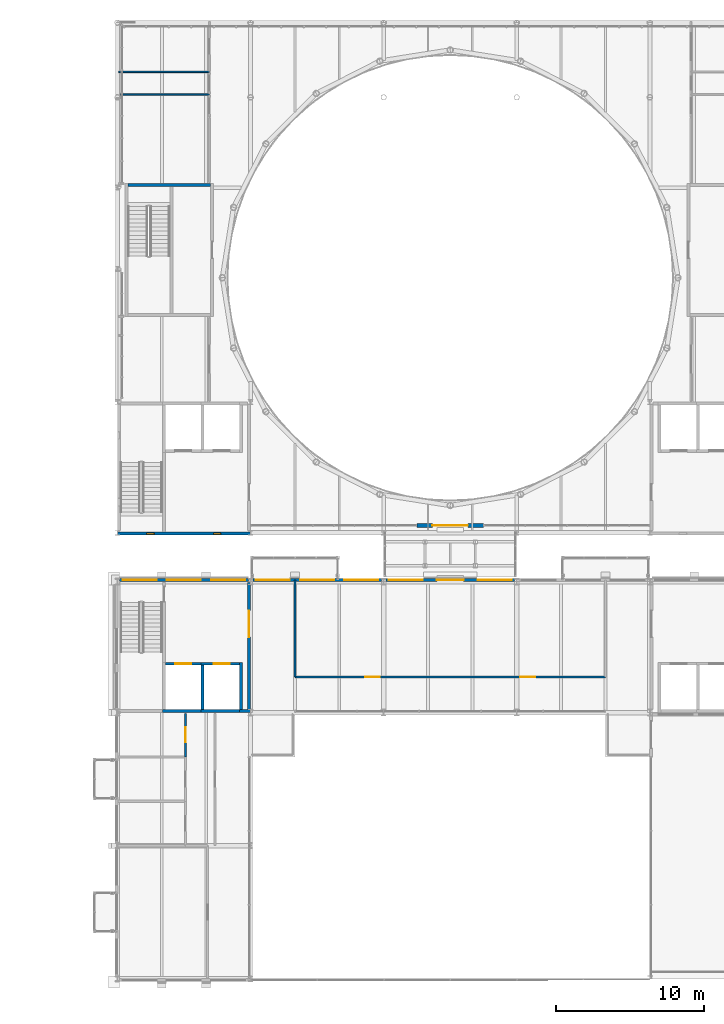
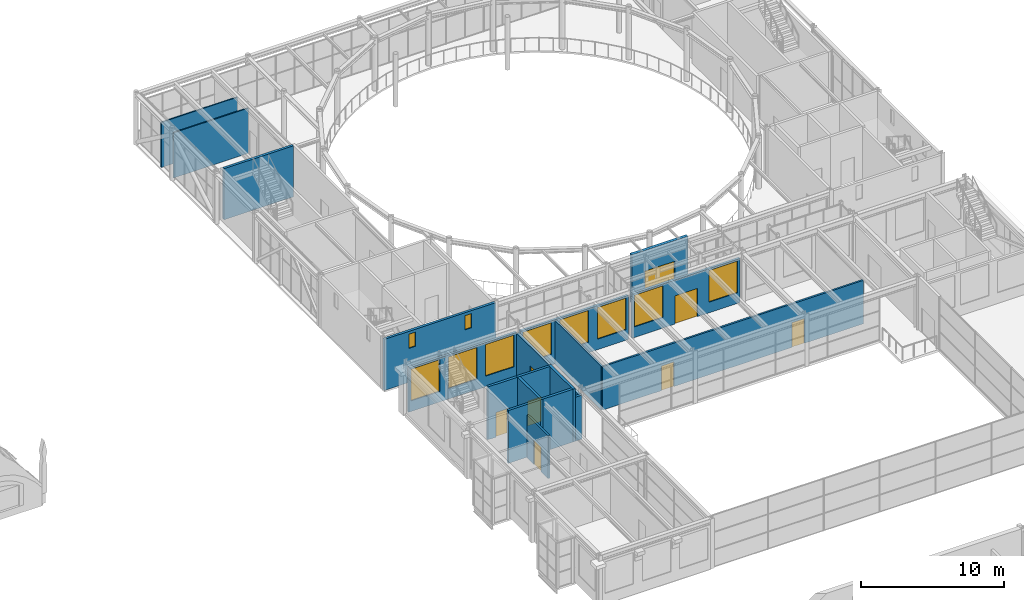
# One storey, part 71 of 111: 19 walls, 10 windows, 8 doors, 18 openings.
"""IFC4 building model written with IfcOpenShell, lengths in metres."""

from ifc_helpers import new_model, si_unit, direction, frame, frame_2d, origin, place, context, subcontext, project, spatial, rectangle, extrude, material, layer, layer_set, type_object, element, fill, save


model = new_model("IFC4")

# Units and contexts
model_context = context("Model", 3, precision=1e-05, world=origin(), true_north=direction((0.0, 1.0)))
body_context = subcontext(model_context, "Body", "Model", "MODEL_VIEW")
ifc_project = project(units=[si_unit("LENGTHUNIT", "METRE"), si_unit("AREAUNIT", "SQUARE_METRE"), si_unit("VOLUMEUNIT", "CUBIC_METRE"), si_unit("PLANEANGLEUNIT", "RADIAN"), si_unit("MASSUNIT", "GRAM", prefix="KILO")], contexts=[model_context])

# Site, building, storey
site_placement = place(None, origin())
site = spatial("IfcSite", under=ifc_project, at=site_placement, CompositionType="ELEMENT")
building_placement = place(site_placement, origin())
building = spatial("IfcBuilding", under=site, at=building_placement, Name="Kallimachos Central Library", CompositionType="ELEMENT")
storey_placement = place(building_placement, frame((0.0, 0.0, 14.39990234375)))
storey = spatial("IfcBuildingStorey", under=building, at=storey_placement, Name="L03", CompositionType="ELEMENT", Elevation=14.39990234375)

# Wall
ifc_material_1 = material(Name="Concrete C30/37", Category="concrete")
ifc_layer_1 = layer(ifc_material_1, 0.199951171875)
ifc_layer_set_1 = layer_set([ifc_layer_1], Name="Core wall 200")
wall_type_1 = type_object("IfcWallType", Name="Core wall 200", PredefinedType="SOLIDWALL", material=ifc_layer_set_1)
wall_1_placement = place(storey_placement, frame((66.199951171875, 110.675048828125, 0.0), z_axis=(0.0, 0.0, 1.0), x_axis=(1.0, 0.0, 0.0)))
element("IfcWall", 1, at=wall_1_placement, inside=storey, type_object=wall_type_1, Name="Core wall V1-NW N", PredefinedType="SOLIDWALL", context=body_context, shape_type="SweptSolid", body=[
    extrude(rectangle(XDim=5.60009765625, YDim=0.199951171875, at=frame_2d((2.800048828125, 0.0))), origin(), (0.0, 0.0, 1.0), 4.35009765625),
])

# Wall, opening, door
ifc_material_2 = material(Name="Concrete C30/37", Category="concrete")
ifc_layer_2 = layer(ifc_material_2, 0.199951171875)
ifc_layer_set_2 = layer_set([ifc_layer_2], Name="Lift shaft wall 200")
wall_type_2 = type_object("IfcWallType", Name="Lift shaft wall 200", PredefinedType="SOLIDWALL", material=ifc_layer_set_2)
wall_2_placement = place(storey_placement, frame((68.75, 78.300048828125, 0.0), z_axis=(0.0, 0.0, 1.0), x_axis=(1.0, 0.0, 0.0)))
wall_2 = element("IfcWall", 2, at=wall_2_placement, inside=storey, type_object=wall_type_2, Name="V4-WAL-L03-001", PredefinedType="SOLIDWALL", context=body_context, shape_type="SweptSolid", body=[
    extrude(rectangle(XDim=2.39990234375, YDim=0.199951171875, at=frame_2d((1.199951171875, 0.0))), origin(), (0.0, 0.0, 1.0), 4.5),
])
opening_1_placement = place(wall_2_placement, frame((0.64990234375, 0.0, 0.0)))
opening_1 = element("IfcOpeningElement", 3, at=opening_1_placement, cuts=wall_2, Name="Opening LD1100", PredefinedType="OPENING", context=body_context, shape_type="SweptSolid", body=[
    extrude(rectangle(XDim=1.10009765625, YDim=2.10009765625, at=frame_2d((0.550048828125, 1.050048828125))), frame((0.0, 0.10986328125, 0.0), z_axis=(0.0, -1.0, 0.0), x_axis=(1.0, 0.0, 0.0)), (0.0, 0.0, 1.0), 0.219970703125),
])
ifc_material_3 = material(Name="Stainless steel", Category="steel")
door_type_1 = type_object("IfcDoorType", Name="Lift landing door 1100 x 2100", OperationType="SLIDING_TO_LEFT", PredefinedType="DOOR", material=ifc_material_3)
door_1_placement = place(opening_1_placement, origin())
door_1 = element("IfcDoor", 4, at=door_1_placement, inside=storey, type_object=door_type_1, Name="LF7 landing door L03", OperationType="SLIDING_TO_LEFT", OverallHeight=2.10009765625, OverallWidth=1.10009765625, PredefinedType="DOOR", context=body_context, shape_type="SweptSolid", body=[
    extrude(rectangle(XDim=1.10009765625, YDim=2.10009765625, at=frame_2d((0.550048828125, 1.050048828125))), frame((0.0, 0.02490234375, 0.0), z_axis=(0.0, -1.0, 0.0), x_axis=(1.0, 0.0, 0.0)), (0.0, 0.0, 1.0), 0.050048828125),
])
fill(opening_1, door_1)

# Walls
wall_3_placement = place(storey_placement, frame((68.550048828125, 75.10009765625, 0.0), z_axis=(0.0, 0.0, 1.0), x_axis=(1.0, 0.0, 0.0)))
element("IfcWall", 5, at=wall_3_placement, inside=storey, type_object=wall_type_2, Name="V4-WAL-L03-002", PredefinedType="SOLIDWALL", context=body_context, shape_type="SweptSolid", body=[
    extrude(rectangle(XDim=2.599853515625, YDim=0.199951171875, at=frame_2d((1.2998046875, 0.0))), origin(), (0.0, 0.0, 1.0), 4.5),
])
wall_4_placement = place(storey_placement, frame((71.25, 75.0, 0.0), z_axis=(0.0, 0.0, 1.0), x_axis=(0.0, 1.0, 0.0)))
element("IfcWall", 6, at=wall_4_placement, inside=storey, type_object=wall_type_2, Name="V4-WAL-L03-004", PredefinedType="SOLIDWALL", context=body_context, shape_type="SweptSolid", body=[
    extrude(rectangle(XDim=3.39990234375, YDim=0.199951171875, at=frame_2d((1.699951171875, 0.0))), origin(), (0.0, 0.0, 1.0), 4.5),
])

# Wall, opening, door
wall_5_placement = place(storey_placement, frame((71.14990234375, 78.300048828125, 0.0), z_axis=(0.0, 0.0, 1.0), x_axis=(1.0, 0.0, 0.0)))
wall_5 = element("IfcWall", 7, at=wall_5_placement, inside=storey, type_object=wall_type_2, Name="V4-WAL-L03-005", PredefinedType="SOLIDWALL", context=body_context, shape_type="SweptSolid", body=[
    extrude(rectangle(XDim=2.60009765625, YDim=0.199951171875, at=frame_2d((1.300048828125, 0.0))), origin(), (0.0, 0.0, 1.0), 4.5),
])
opening_2_placement = place(wall_5_placement, frame((0.85009765625, 0.0, 0.0)))
opening_2 = element("IfcOpeningElement", 8, at=opening_2_placement, cuts=wall_5, Name="Opening LD1100", PredefinedType="OPENING", context=body_context, shape_type="SweptSolid", body=[
    extrude(rectangle(XDim=1.10009765625, YDim=2.10009765625, at=frame_2d((0.550048828125, 1.050048828125))), frame((0.0, 0.10986328125, 0.0), z_axis=(0.0, -1.0, 0.0), x_axis=(1.0, 0.0, 0.0)), (0.0, 0.0, 1.0), 0.219970703125),
])
door_2_placement = place(opening_2_placement, origin())
door_2 = element("IfcDoor", 9, at=door_2_placement, inside=storey, type_object=door_type_1, Name="LF8 landing door L03", OperationType="SLIDING_TO_LEFT", OverallHeight=2.10009765625, OverallWidth=1.10009765625, PredefinedType="DOOR", context=body_context, shape_type="SweptSolid", body=[
    extrude(rectangle(XDim=1.10009765625, YDim=2.10009765625, at=frame_2d((0.550048828125, 1.050048828125))), frame((0.0, 0.02490234375, 0.0), z_axis=(0.0, -1.0, 0.0), x_axis=(1.0, 0.0, 0.0)), (0.0, 0.0, 1.0), 0.050048828125),
])
fill(opening_2, door_2)

# Walls
wall_6_placement = place(storey_placement, frame((71.14990234375, 75.10009765625, 0.0), z_axis=(0.0, 0.0, 1.0), x_axis=(1.0, 0.0, 0.0)))
element("IfcWall", 10, at=wall_6_placement, inside=storey, type_object=wall_type_2, Name="V4-WAL-L03-006", PredefinedType="SOLIDWALL", context=body_context, shape_type="SweptSolid", body=[
    extrude(rectangle(XDim=2.60009765625, YDim=0.199951171875, at=frame_2d((1.300048828125, 0.0))), origin(), (0.0, 0.0, 1.0), 4.5),
])
wall_7_placement = place(storey_placement, frame((73.85009765625, 75.0, 0.0), z_axis=(0.0, 0.0, 1.0), x_axis=(0.0, 1.0, 0.0)))
element("IfcWall", 11, at=wall_7_placement, inside=storey, type_object=wall_type_2, Name="V4-WAL-L03-007", PredefinedType="SOLIDWALL", context=body_context, shape_type="SweptSolid", body=[
    extrude(rectangle(XDim=3.39990234375, YDim=0.199951171875, at=frame_2d((1.699951171875, 0.0))), origin(), (0.0, 0.0, 1.0), 4.5),
])

# Wall, opening, door
ifc_material_4 = material(Name="Pentelic marble cladding on blockwork", Category="masonry")
ifc_layer_3 = layer(ifc_material_4, 0.25)
ifc_layer_set_3 = layer_set([ifc_layer_3], Name="Link portal wall 250")
wall_type_3 = type_object("IfcWallType", Name="Link portal wall 250", PredefinedType="SOLIDWALL", material=ifc_layer_set_3)
wall_8_placement = place(storey_placement, frame((85.75, 87.64990234375, 0.0), z_axis=(0.0, 0.0, 1.0), x_axis=(1.0, 0.0, 0.0)))
wall_8 = element("IfcWall", 12, at=wall_8_placement, inside=storey, type_object=wall_type_3, Name="V1-WAL-L03-015", PredefinedType="SOLIDWALL", context=body_context, shape_type="SweptSolid", body=[
    extrude(rectangle(XDim=4.5, YDim=0.25, at=frame_2d((2.25, 0.0))), origin(), (0.0, 0.0, 1.0), 4.150146484375),
])
opening_3_placement = place(wall_8_placement, frame((1.050048828125, 0.0, 0.0)))
opening_3 = element("IfcOpeningElement", 13, at=opening_3_placement, cuts=wall_8, Name="Opening D58", PredefinedType="OPENING", context=body_context, shape_type="SweptSolid", body=[
    extrude(rectangle(XDim=2.39990234375, YDim=2.39990234375, at=frame_2d((1.199951171875, 1.199951171875))), frame((0.0, 0.135009765625, 0.0), z_axis=(0.0, -1.0, 0.0), x_axis=(1.0, 0.0, 0.0)), (0.0, 0.0, 1.0), 0.27001953125),
])
ifc_material_5 = material(Name="Glass and anodised aluminium", Category="aluminium")
door_type_2 = type_object("IfcDoorType", Name="Glazed double door 2400 x 2400", OperationType="DOUBLE_DOOR_SINGLE_SWING", PredefinedType="DOOR", material=ifc_material_5)
door_3_placement = place(opening_3_placement, frame((2.39990234375, 0.0, 0.0), z_axis=(0.0, 0.0, 1.0), x_axis=(-1.0, 0.0, 0.0)))
door_3 = element("IfcDoor", 14, at=door_3_placement, inside=storey, type_object=door_type_2, Name="V1-DOR-L03-005", OperationType="DOUBLE_DOOR_SINGLE_SWING", OverallHeight=2.39990234375, OverallWidth=2.39990234375, PredefinedType="DOOR", context=body_context, shape_type="SweptSolid", body=[
    extrude(rectangle(XDim=2.39990234375, YDim=2.39990234375, at=frame_2d((1.199951171875, 1.199951171875))), frame((0.0, 0.02490234375, 0.0), z_axis=(0.0, -1.0, 0.0), x_axis=(1.0, 0.0, 0.0)), (0.0, 0.0, 1.0), 0.050048828125),
])
fill(opening_3, door_3)

# Walls
ifc_material_6 = material(Name="Plasterboard on steel studs", Category="steel")
ifc_layer_4 = layer(ifc_material_6, 0.10009765625)
ifc_layer_set_4 = layer_set([ifc_layer_4], Name="Partition 100")
wall_type_4 = type_object("IfcWallType", Name="Partition 100", PredefinedType="PARTITIONING", material=ifc_layer_set_4)
wall_9_placement = place(storey_placement, frame((65.677734375, 116.780517578125, 0.0), z_axis=(0.0, 0.0, 1.0), x_axis=(1.0, 0.0, 0.0)))
element("IfcWall", 15, at=wall_9_placement, inside=storey, type_object=wall_type_4, Name="Partition", PredefinedType="PARTITIONING", context=body_context, shape_type="SweptSolid", body=[
    extrude(rectangle(XDim=6.042236328125, YDim=0.10009765625, at=frame_2d((3.02099609375, 0.0))), origin(), (0.0, 0.0, 1.0), 3.85009765625),
])
wall_10_placement = place(storey_placement, frame((65.580078125, 118.313720703125, 0.0), z_axis=(0.0, 0.0, 1.0), x_axis=(1.0, 0.0, 0.0)))
element("IfcWall", 16, at=wall_10_placement, inside=storey, type_object=wall_type_4, Name="Partition", PredefinedType="PARTITIONING", context=body_context, shape_type="SweptSolid", body=[
    extrude(rectangle(XDim=6.139892578125, YDim=0.10009765625, at=frame_2d((3.06982421875, 0.0))), origin(), (0.0, 0.0, 1.0), 3.85009765625),
])
ifc_material_7 = material(Name="Gypsum board on steel studs", Category="steel")
ifc_layer_5 = layer(ifc_material_7, 0.14990234375)
ifc_layer_set_5 = layer_set([ifc_layer_5], Name="Partition wall 150")
wall_type_5 = type_object("IfcWallType", Name="Partition wall 150", PredefinedType="PARTITIONING", material=ifc_layer_set_5)
wall_11_placement = place(storey_placement, frame((77.5, 77.39990234375, 0.0), z_axis=(0.0, 0.0, 1.0), x_axis=(0.0, 1.0, 0.0)))
element("IfcWall", 17, at=wall_11_placement, inside=storey, type_object=wall_type_5, Name="L03 partition", PredefinedType="PARTITIONING", context=body_context, shape_type="SweptSolid", body=[
    extrude(rectangle(XDim=6.550048828125, YDim=0.14990234375, at=frame_2d((3.27490234375, 0.0))), origin(), (0.0, 0.0, 1.0), 3.7001953125),
])

# Wall, openings, doors
wall_12_placement = place(storey_placement, frame((77.5, 77.39990234375, 0.0), z_axis=(0.0, 0.0, 1.0), x_axis=(1.0, 0.0, 0.0)))
wall_12 = element("IfcWall", 18, at=wall_12_placement, inside=storey, type_object=wall_type_5, Name="L03 partition", PredefinedType="PARTITIONING", context=body_context, shape_type="SweptSolid", body=[
    extrude(rectangle(XDim=21.0, YDim=0.14990234375, at=frame_2d((10.5, 0.0))), origin(), (0.0, 0.0, 1.0), 3.7001953125),
])
opening_4_placement = place(wall_12_placement, frame((4.75, 0.0, 0.0)))
opening_4 = element("IfcOpeningElement", 19, at=opening_4_placement, cuts=wall_12, Name="Opening D207", PredefinedType="OPENING", context=body_context, shape_type="SweptSolid", body=[
    extrude(rectangle(XDim=1.0, YDim=2.10009765625, at=frame_2d((0.5, 1.050048828125))), frame((0.0, 0.0849609375, 0.0), z_axis=(0.0, -1.0, 0.0), x_axis=(1.0, 0.0, 0.0)), (0.0, 0.0, 1.0), 0.169921875),
])
opening_5_placement = place(wall_12_placement, frame((15.25, 0.0, 0.0)))
opening_5 = element("IfcOpeningElement", 20, at=opening_5_placement, cuts=wall_12, Name="Opening D208", PredefinedType="OPENING", context=body_context, shape_type="SweptSolid", body=[
    extrude(rectangle(XDim=1.0, YDim=2.10009765625, at=frame_2d((0.5, 1.050048828125))), frame((0.0, 0.0849609375, 0.0), z_axis=(0.0, -1.0, 0.0), x_axis=(1.0, 0.0, 0.0)), (0.0, 0.0, 1.0), 0.169921875),
])
ifc_material_8 = material(Name="Timber", Category="wood")
door_type_3 = type_object("IfcDoorType", Name="Single leaf door 1000 x 2100, EI2 30", OperationType="NOTDEFINED", PredefinedType="DOOR", material=ifc_material_8)
door_4_placement = place(opening_4_placement, frame((1.0, 0.0, 0.0), z_axis=(0.0, 0.0, 1.0), x_axis=(-1.0, 0.0, 0.0)))
door_4 = element("IfcDoor", 21, at=door_4_placement, inside=storey, type_object=door_type_3, Name="L03 door Maker Space", OperationType="SINGLE_SWING_LEFT", OverallHeight=2.10009765625, OverallWidth=1.0, PredefinedType="DOOR", context=body_context, shape_type="SweptSolid", body=[
    extrude(rectangle(XDim=1.0, YDim=2.10009765625, at=frame_2d((0.5, 1.050048828125))), frame((0.0, 0.02490234375, 0.0), z_axis=(0.0, -1.0, 0.0), x_axis=(1.0, 0.0, 0.0)), (0.0, 0.0, 1.0), 0.050048828125),
])
fill(opening_4, door_4)
door_5_placement = place(opening_5_placement, frame((1.0, 0.0, 0.0), z_axis=(0.0, 0.0, 1.0), x_axis=(-1.0, 0.0, 0.0)))
door_5 = element("IfcDoor", 22, at=door_5_placement, inside=storey, type_object=door_type_3, Name="L03 door Maker Space", OperationType="SINGLE_SWING_LEFT", OverallHeight=2.10009765625, OverallWidth=1.0, PredefinedType="DOOR", context=body_context, shape_type="SweptSolid", body=[
    extrude(rectangle(XDim=1.0, YDim=2.10009765625, at=frame_2d((0.5, 1.050048828125))), frame((0.0, 0.02490234375, 0.0), z_axis=(0.0, -1.0, 0.0), x_axis=(1.0, 0.0, 0.0)), (0.0, 0.0, 1.0), 0.050048828125),
])
fill(opening_5, door_5)

# Wall, opening, door
wall_13_placement = place(storey_placement, frame((70.10009765625, 72.0, 0.0), z_axis=(0.0, 0.0, 1.0), x_axis=(0.0, 1.0, 0.0)))
wall_13 = element("IfcWall", 23, at=wall_13_placement, inside=storey, type_object=wall_type_5, Name="L03 partition", PredefinedType="PARTITIONING", context=body_context, shape_type="SweptSolid", body=[
    extrude(rectangle(XDim=2.949951171875, YDim=0.14990234375, at=frame_2d((1.47509765625, 0.0))), origin(), (0.0, 0.0, 1.0), 3.650146484375),
])
opening_6_placement = place(wall_13_placement, frame((1.0, 0.0, 0.0)))
opening_6 = element("IfcOpeningElement", 24, at=opening_6_placement, cuts=wall_13, Name="Opening D213", PredefinedType="OPENING", context=body_context, shape_type="SweptSolid", body=[
    extrude(rectangle(XDim=1.0, YDim=2.10009765625, at=frame_2d((0.5, 1.050048828125))), frame((0.0, 0.0849609375, 0.0), z_axis=(0.0, -1.0, 0.0), x_axis=(1.0, 0.0, 0.0)), (0.0, 0.0, 1.0), 0.169921875),
])
door_6_placement = place(opening_6_placement, origin())
door_6 = element("IfcDoor", 25, at=door_6_placement, inside=storey, type_object=door_type_3, Name="L03 door Accessible WC", OperationType="SINGLE_SWING_RIGHT", OverallHeight=2.10009765625, OverallWidth=1.0, PredefinedType="DOOR", context=body_context, shape_type="SweptSolid", body=[
    extrude(rectangle(XDim=1.0, YDim=2.10009765625, at=frame_2d((0.5, 1.050048828125))), frame((0.0, 0.02490234375, 0.0), z_axis=(0.0, -1.0, 0.0), x_axis=(1.0, 0.0, 0.0)), (0.0, 0.0, 1.0), 0.050048828125),
])
fill(opening_6, door_6)

# Wall
ifc_material_9 = material(Name="Concrete C35/45", Category="concrete")
ifc_layer_6 = layer(ifc_material_9, 0.199951171875)
ifc_layer_set_6 = layer_set([ifc_layer_6], Name="Shear core wall 200, internal")
wall_type_6 = type_object("IfcWallType", Name="Shear core wall 200, internal", PredefinedType="SHEAR", material=ifc_layer_set_6)
wall_14_placement = place(storey_placement, frame((73.75, 75.10009765625, 0.0), z_axis=(0.0, 0.0, 1.0), x_axis=(1.0, 0.0, 0.0)))
element("IfcWall", 26, at=wall_14_placement, inside=storey, type_object=wall_type_6, Name="L03 core wall V4-NW S2", PredefinedType="SHEAR", context=body_context, shape_type="SweptSolid", body=[
    extrude(rectangle(XDim=0.75, YDim=0.199951171875, at=frame_2d((0.375, 0.0))), origin(), (0.0, 0.0, 1.0), 3.75),
])

# Wall, opening, door
wall_15_placement = place(storey_placement, frame((74.39990234375, 75.199951171875, 0.0), z_axis=(0.0, 0.0, 1.0), x_axis=(0.0, 1.0, 0.0)))
wall_15 = element("IfcWall", 27, at=wall_15_placement, inside=storey, type_object=wall_type_6, Name="L03 core wall V4-NW E", PredefinedType="SHEAR", context=body_context, shape_type="SweptSolid", body=[
    extrude(rectangle(XDim=8.60009765625, YDim=0.199951171875, at=frame_2d((4.300048828125, 0.0))), origin(), (0.0, 0.0, 1.0), 3.75),
])
opening_7_placement = place(wall_15_placement, frame((4.89990234375, 0.0, 0.0)))
opening_7 = element("IfcOpeningElement", 28, at=opening_7_placement, cuts=wall_15, Name="Opening D149", PredefinedType="OPENING", context=body_context, shape_type="SweptSolid", body=[
    extrude(rectangle(XDim=1.800048828125, YDim=2.10009765625, at=frame_2d((0.89990234375, 1.050048828125))), frame((0.0, 0.10986328125, 0.0), z_axis=(0.0, -1.0, 0.0), x_axis=(1.0, 0.0, 0.0)), (0.0, 0.0, 1.0), 0.219970703125),
])
ifc_material_10 = material(Name="Timber and glass", Category="wood")
door_type_4 = type_object("IfcDoorType", Name="Double leaf door 1800 x 2100, EI2 90", OperationType="DOUBLE_DOOR_SINGLE_SWING", PredefinedType="DOOR", material=ifc_material_10)
door_7_placement = place(opening_7_placement, origin())
door_7 = element("IfcDoor", 29, at=door_7_placement, inside=storey, type_object=door_type_4, Name="L03 core door V4-NW", OperationType="DOUBLE_DOOR_SINGLE_SWING", OverallHeight=2.10009765625, OverallWidth=1.800048828125, PredefinedType="DOOR", context=body_context, shape_type="SweptSolid", body=[
    extrude(rectangle(XDim=1.800048828125, YDim=2.10009765625, at=frame_2d((0.89990234375, 1.050048828125))), frame((0.0, 0.02490234375, 0.0), z_axis=(0.0, -1.0, 0.0), x_axis=(1.0, 0.0, 0.0)), (0.0, 0.0, 1.0), 0.050048828125),
])
fill(opening_7, door_7)

# Wall, openings, windows
ifc_material_11 = material(Name="Concrete C30/37", Category="concrete")
ifc_layer_7 = layer(ifc_material_11, 0.199951171875)
ifc_layer_set_7 = layer_set([ifc_layer_7], Name="Stone-clad core wall 200")
wall_type_7 = type_object("IfcWallType", Name="Stone-clad core wall 200", PredefinedType="SOLIDWALL", material=ifc_layer_set_7)
wall_16_placement = place(storey_placement, frame((65.510986328125, 87.10009765625, 0.0), z_axis=(0.0, 0.0, 1.0), x_axis=(1.0, 0.0, 0.0)))
wall_16 = element("IfcWall", 30, at=wall_16_placement, inside=storey, type_object=wall_type_7, Name="Core wall V1-SW S", PredefinedType="SOLIDWALL", context=body_context, shape_type="SweptSolid", body=[
    extrude(rectangle(XDim=8.97802734375, YDim=0.199951171875, at=frame_2d((4.489013671875, 0.0))), origin(), (0.0, 0.0, 1.0), 4.35009765625),
])
opening_8_placement = place(wall_16_placement, frame((1.989013671875, 0.0, 2.89990234375)))
opening_8 = element("IfcOpeningElement", 31, at=opening_8_placement, cuts=wall_16, Name="Opening W106", PredefinedType="OPENING", context=body_context, shape_type="SweptSolid", body=[
    extrude(rectangle(XDim=0.5, YDim=1.199951171875, at=frame_2d((0.25, 0.60009765625))), frame((0.0, 0.10986328125, 0.0), z_axis=(0.0, -1.0, 0.0), x_axis=(1.0, 0.0, 0.0)), (0.0, 0.0, 1.0), 0.219970703125),
])
opening_9_placement = place(wall_16_placement, frame((6.489013671875, 0.0, 2.89990234375)))
opening_9 = element("IfcOpeningElement", 32, at=opening_9_placement, cuts=wall_16, Name="Opening W107", PredefinedType="OPENING", context=body_context, shape_type="SweptSolid", body=[
    extrude(rectangle(XDim=0.5, YDim=1.199951171875, at=frame_2d((0.25, 0.60009765625))), frame((0.0, 0.10986328125, 0.0), z_axis=(0.0, -1.0, 0.0), x_axis=(1.0, 0.0, 0.0)), (0.0, 0.0, 1.0), 0.219970703125),
])
ifc_material_12 = material(Name="Laminated glass in bronze-anodised aluminium frame", Category="aluminium")
window_type_1 = type_object("IfcWindowType", Name="Stair slot window 500x1200", PartitioningType="SINGLE_PANEL", PredefinedType="WINDOW", material=ifc_material_12)
window_1_placement = place(opening_8_placement, origin())
window_1 = element("IfcWindow", 33, at=window_1_placement, inside=storey, type_object=window_type_1, Name="V1-WIN-L03-003", OverallHeight=1.199951171875, OverallWidth=0.5, PartitioningType="SINGLE_PANEL", PredefinedType="WINDOW", context=body_context, shape_type="SweptSolid", body=[
    extrude(rectangle(XDim=0.5, YDim=1.199951171875, at=frame_2d((0.25, 0.60009765625))), frame((0.0, 0.030029296875, 0.0), z_axis=(0.0, -1.0, 0.0), x_axis=(1.0, 0.0, 0.0)), (0.0, 0.0, 1.0), 0.06005859375),
])
fill(opening_8, window_1)
window_2_placement = place(opening_9_placement, origin())
window_2 = element("IfcWindow", 34, at=window_2_placement, inside=storey, type_object=window_type_1, Name="V1-WIN-L03-004", OverallHeight=1.199951171875, OverallWidth=0.5, PartitioningType="SINGLE_PANEL", PredefinedType="WINDOW", context=body_context, shape_type="SweptSolid", body=[
    extrude(rectangle(XDim=0.5, YDim=1.199951171875, at=frame_2d((0.25, 0.60009765625))), frame((0.0, 0.030029296875, 0.0), z_axis=(0.0, -1.0, 0.0), x_axis=(1.0, 0.0, 0.0)), (0.0, 0.0, 1.0), 0.06005859375),
])
fill(opening_9, window_2)

ifc_material_13 = material(Name="Brick masonry with Pentelic marble cladding", Category="masonry")
ifc_layer_8 = layer(ifc_material_13, 0.199951171875)
ifc_layer_set_8 = layer_set([ifc_layer_8], Name="Stone-clad masonry wall 200")
wall_type_8 = type_object("IfcWallType", Name="Stone-clad masonry wall 200", PredefinedType="SOLIDWALL", material=ifc_layer_set_8)
wall_17_placement = place(storey_placement, frame((74.653564453125, 83.966064453125, 0.0), z_axis=(0.0, 0.0, 1.0), x_axis=(1.0, 0.0, 0.0)))
wall_17 = element("IfcWall", 35, at=wall_17_placement, inside=storey, type_object=wall_type_8, Name="V4-WAL-L03-016", PredefinedType="SOLIDWALL", context=body_context, shape_type="SweptSolid", body=[
    extrude(rectangle(XDim=8.69287109375, YDim=0.199951171875, at=frame_2d((4.346435546875, 0.0))), origin(), (0.0, 0.0, 1.0), 3.75),
])
opening_10_placement = place(wall_17_placement, frame((0.196533203125, 0.0, 0.89990234375)))
opening_10 = element("IfcOpeningElement", 36, at=opening_10_placement, cuts=wall_17, Name="Opening WN161", PredefinedType="OPENING", context=body_context, shape_type="SweptSolid", body=[
    extrude(rectangle(XDim=2.300048828125, YDim=2.699951171875, at=frame_2d((1.14990234375, 1.35009765625))), frame((0.0, 0.10986328125, 0.0), z_axis=(0.0, -1.0, 0.0), x_axis=(1.0, 0.0, 0.0)), (0.0, 0.0, 1.0), 0.219970703125),
])
opening_11_placement = place(wall_17_placement, frame((3.196533203125, 0.0, 0.89990234375)))
opening_11 = element("IfcOpeningElement", 37, at=opening_11_placement, cuts=wall_17, Name="Opening WN161", PredefinedType="OPENING", context=body_context, shape_type="SweptSolid", body=[
    extrude(rectangle(XDim=2.300048828125, YDim=2.699951171875, at=frame_2d((1.14990234375, 1.35009765625))), frame((0.0, 0.10986328125, 0.0), z_axis=(0.0, -1.0, 0.0), x_axis=(1.0, 0.0, 0.0)), (0.0, 0.0, 1.0), 0.219970703125),
])
opening_12_placement = place(wall_17_placement, frame((6.196533203125, 0.0, 0.89990234375)))
opening_12 = element("IfcOpeningElement", 38, at=opening_12_placement, cuts=wall_17, Name="Opening WN161", PredefinedType="OPENING", context=body_context, shape_type="SweptSolid", body=[
    extrude(rectangle(XDim=2.300048828125, YDim=2.699951171875, at=frame_2d((1.14990234375, 1.35009765625))), frame((0.0, 0.10986328125, 0.0), z_axis=(0.0, -1.0, 0.0), x_axis=(1.0, 0.0, 0.0)), (0.0, 0.0, 1.0), 0.219970703125),
])
ifc_material_14 = material(Name="Anodised aluminium and laminated glass", Category="aluminium")
window_type_2 = type_object("IfcWindowType", Name="Window 2300 x 2700", PartitioningType="DOUBLE_PANEL_VERTICAL", PredefinedType="WINDOW", material=ifc_material_14)
window_3_placement = place(opening_10_placement, origin())
window_3 = element("IfcWindow", 39, at=window_3_placement, inside=storey, type_object=window_type_2, Name="V4-WIN-L03-004", OverallHeight=2.699951171875, OverallWidth=2.300048828125, PartitioningType="SINGLE_PANEL", PredefinedType="WINDOW", context=body_context, shape_type="SweptSolid", body=[
    extrude(rectangle(XDim=2.300048828125, YDim=2.699951171875, at=frame_2d((1.14990234375, 1.35009765625))), frame((0.0, 0.030029296875, 0.0), z_axis=(0.0, -1.0, 0.0), x_axis=(1.0, 0.0, 0.0)), (0.0, 0.0, 1.0), 0.06005859375),
])
fill(opening_10, window_3)
window_4_placement = place(opening_11_placement, origin())
window_4 = element("IfcWindow", 40, at=window_4_placement, inside=storey, type_object=window_type_2, Name="V4-WIN-L03-005", OverallHeight=2.699951171875, OverallWidth=2.300048828125, PartitioningType="SINGLE_PANEL", PredefinedType="WINDOW", context=body_context, shape_type="SweptSolid", body=[
    extrude(rectangle(XDim=2.300048828125, YDim=2.699951171875, at=frame_2d((1.14990234375, 1.35009765625))), frame((0.0, 0.030029296875, 0.0), z_axis=(0.0, -1.0, 0.0), x_axis=(1.0, 0.0, 0.0)), (0.0, 0.0, 1.0), 0.06005859375),
])
fill(opening_11, window_4)
window_5_placement = place(opening_12_placement, origin())
window_5 = element("IfcWindow", 41, at=window_5_placement, inside=storey, type_object=window_type_2, Name="V4-WIN-L03-006", OverallHeight=2.699951171875, OverallWidth=2.300048828125, PartitioningType="SINGLE_PANEL", PredefinedType="WINDOW", context=body_context, shape_type="SweptSolid", body=[
    extrude(rectangle(XDim=2.300048828125, YDim=2.699951171875, at=frame_2d((1.14990234375, 1.35009765625))), frame((0.0, 0.030029296875, 0.0), z_axis=(0.0, -1.0, 0.0), x_axis=(1.0, 0.0, 0.0)), (0.0, 0.0, 1.0), 0.06005859375),
])
fill(opening_12, window_5)

# Wall, openings, door, windows
wall_18_placement = place(storey_placement, frame((83.653564453125, 83.966064453125, 0.0), z_axis=(0.0, 0.0, 1.0), x_axis=(1.0, 0.0, 0.0)))
wall_18 = element("IfcWall", 42, at=wall_18_placement, inside=storey, type_object=wall_type_8, Name="V4-WAL-L03-017", PredefinedType="SOLIDWALL", context=body_context, shape_type="SweptSolid", body=[
    extrude(rectangle(XDim=8.69287109375, YDim=0.199951171875, at=frame_2d((4.346435546875, 0.0))), origin(), (0.0, 0.0, 1.0), 3.75),
])
opening_13_placement = place(wall_18_placement, frame((3.446533203125, 0.0, 0.0)))
opening_13 = element("IfcOpeningElement", 43, at=opening_13_placement, cuts=wall_18, Name="Opening D35", PredefinedType="OPENING", context=body_context, shape_type="SweptSolid", body=[
    extrude(rectangle(XDim=1.800048828125, YDim=2.39990234375, at=frame_2d((0.89990234375, 1.199951171875))), frame((0.0, 0.10986328125, 0.0), z_axis=(0.0, -1.0, 0.0), x_axis=(1.0, 0.0, 0.0)), (0.0, 0.0, 1.0), 0.219970703125),
])
opening_14_placement = place(wall_18_placement, frame((0.196533203125, 0.0, 0.89990234375)))
opening_14 = element("IfcOpeningElement", 44, at=opening_14_placement, cuts=wall_18, Name="Opening WN161", PredefinedType="OPENING", context=body_context, shape_type="SweptSolid", body=[
    extrude(rectangle(XDim=2.300048828125, YDim=2.699951171875, at=frame_2d((1.14990234375, 1.35009765625))), frame((0.0, 0.10986328125, 0.0), z_axis=(0.0, -1.0, 0.0), x_axis=(1.0, 0.0, 0.0)), (0.0, 0.0, 1.0), 0.219970703125),
])
opening_15_placement = place(wall_18_placement, frame((6.196533203125, 0.0, 0.89990234375)))
opening_15 = element("IfcOpeningElement", 45, at=opening_15_placement, cuts=wall_18, Name="Opening WN161", PredefinedType="OPENING", context=body_context, shape_type="SweptSolid", body=[
    extrude(rectangle(XDim=2.300048828125, YDim=2.699951171875, at=frame_2d((1.14990234375, 1.35009765625))), frame((0.0, 0.10986328125, 0.0), z_axis=(0.0, -1.0, 0.0), x_axis=(1.0, 0.0, 0.0)), (0.0, 0.0, 1.0), 0.219970703125),
])
ifc_material_15 = material(Name="Anodised aluminium and laminated glass", Category="aluminium")
door_type_5 = type_object("IfcDoorType", Name="Link door 1800 x 2400", OperationType="DOUBLE_DOOR_SINGLE_SWING", PredefinedType="DOOR", material=ifc_material_15)
door_8_placement = place(opening_13_placement, origin())
door_8 = element("IfcDoor", 46, at=door_8_placement, inside=storey, type_object=door_type_5, Name="Link Door K2", OperationType="DOUBLE_DOOR_SINGLE_SWING", OverallHeight=2.39990234375, OverallWidth=1.800048828125, PredefinedType="DOOR", context=body_context, shape_type="SweptSolid", body=[
    extrude(rectangle(XDim=1.800048828125, YDim=2.39990234375, at=frame_2d((0.89990234375, 1.199951171875))), frame((0.0, 0.02490234375, 0.0), z_axis=(0.0, -1.0, 0.0), x_axis=(1.0, 0.0, 0.0)), (0.0, 0.0, 1.0), 0.050048828125),
])
fill(opening_13, door_8)
window_6_placement = place(opening_14_placement, origin())
window_6 = element("IfcWindow", 47, at=window_6_placement, inside=storey, type_object=window_type_2, Name="V4-WIN-L03-007", OverallHeight=2.699951171875, OverallWidth=2.300048828125, PartitioningType="SINGLE_PANEL", PredefinedType="WINDOW", context=body_context, shape_type="SweptSolid", body=[
    extrude(rectangle(XDim=2.300048828125, YDim=2.699951171875, at=frame_2d((1.14990234375, 1.35009765625))), frame((0.0, 0.030029296875, 0.0), z_axis=(0.0, -1.0, 0.0), x_axis=(1.0, 0.0, 0.0)), (0.0, 0.0, 1.0), 0.06005859375),
])
fill(opening_14, window_6)
window_7_placement = place(opening_15_placement, origin())
window_7 = element("IfcWindow", 48, at=window_7_placement, inside=storey, type_object=window_type_2, Name="V4-WIN-L03-008", OverallHeight=2.699951171875, OverallWidth=2.300048828125, PartitioningType="SINGLE_PANEL", PredefinedType="WINDOW", context=body_context, shape_type="SweptSolid", body=[
    extrude(rectangle(XDim=2.300048828125, YDim=2.699951171875, at=frame_2d((1.14990234375, 1.35009765625))), frame((0.0, 0.030029296875, 0.0), z_axis=(0.0, -1.0, 0.0), x_axis=(1.0, 0.0, 0.0)), (0.0, 0.0, 1.0), 0.06005859375),
])
fill(opening_15, window_7)

# Wall, openings, windows
ifc_material_16 = material(Name="Brick masonry with Pentelic marble cladding", Category="masonry")
ifc_layer_9 = layer(ifc_material_16, 0.199951171875)
ifc_layer_set_9 = layer_set([ifc_layer_9], Name="Stone-clad masonry wall 200, EI 120")
wall_type_9 = type_object("IfcWallType", Name="Stone-clad masonry wall 200, EI 120", PredefinedType="SOLIDWALL", material=ifc_layer_set_9)
wall_19_placement = place(storey_placement, frame((65.653564453125, 83.966064453125, 0.0), z_axis=(0.0, 0.0, 1.0), x_axis=(1.0, 0.0, 0.0)))
wall_19 = element("IfcWall", 49, at=wall_19_placement, inside=storey, type_object=wall_type_9, Name="V4-WAL-L03-015", PredefinedType="SOLIDWALL", context=body_context, shape_type="SweptSolid", body=[
    extrude(rectangle(XDim=8.69287109375, YDim=0.199951171875, at=frame_2d((4.346435546875, 0.0))), origin(), (0.0, 0.0, 1.0), 3.75),
])
opening_16_placement = place(wall_19_placement, frame((0.196533203125, 0.0, 0.89990234375)))
opening_16 = element("IfcOpeningElement", 50, at=opening_16_placement, cuts=wall_19, Name="Opening WN268", PredefinedType="OPENING", context=body_context, shape_type="SweptSolid", body=[
    extrude(rectangle(XDim=2.300048828125, YDim=2.699951171875, at=frame_2d((1.14990234375, 1.35009765625))), frame((0.0, 0.10986328125, 0.0), z_axis=(0.0, -1.0, 0.0), x_axis=(1.0, 0.0, 0.0)), (0.0, 0.0, 1.0), 0.219970703125),
])
opening_17_placement = place(wall_19_placement, frame((3.196533203125, 0.0, 0.89990234375)))
opening_17 = element("IfcOpeningElement", 51, at=opening_17_placement, cuts=wall_19, Name="Opening WN268", PredefinedType="OPENING", context=body_context, shape_type="SweptSolid", body=[
    extrude(rectangle(XDim=2.300048828125, YDim=2.699951171875, at=frame_2d((1.14990234375, 1.35009765625))), frame((0.0, 0.10986328125, 0.0), z_axis=(0.0, -1.0, 0.0), x_axis=(1.0, 0.0, 0.0)), (0.0, 0.0, 1.0), 0.219970703125),
])
opening_18_placement = place(wall_19_placement, frame((6.196533203125, 0.0, 0.89990234375)))
opening_18 = element("IfcOpeningElement", 52, at=opening_18_placement, cuts=wall_19, Name="Opening WN268", PredefinedType="OPENING", context=body_context, shape_type="SweptSolid", body=[
    extrude(rectangle(XDim=2.300048828125, YDim=2.699951171875, at=frame_2d((1.14990234375, 1.35009765625))), frame((0.0, 0.10986328125, 0.0), z_axis=(0.0, -1.0, 0.0), x_axis=(1.0, 0.0, 0.0)), (0.0, 0.0, 1.0), 0.219970703125),
])
ifc_material_17 = material(Name="Anodised aluminium and laminated glass", Category="aluminium")
window_type_3 = type_object("IfcWindowType", Name="Window 2300 x 2700, EI 120", PartitioningType="DOUBLE_PANEL_VERTICAL", PredefinedType="WINDOW", material=ifc_material_17)
window_8_placement = place(opening_16_placement, origin())
window_8 = element("IfcWindow", 53, at=window_8_placement, inside=storey, type_object=window_type_3, Name="V4-WIN-L03-001", OverallHeight=2.699951171875, OverallWidth=2.300048828125, PartitioningType="SINGLE_PANEL", PredefinedType="WINDOW", context=body_context, shape_type="SweptSolid", body=[
    extrude(rectangle(XDim=2.300048828125, YDim=2.699951171875, at=frame_2d((1.14990234375, 1.35009765625))), frame((0.0, 0.030029296875, 0.0), z_axis=(0.0, -1.0, 0.0), x_axis=(1.0, 0.0, 0.0)), (0.0, 0.0, 1.0), 0.06005859375),
])
fill(opening_16, window_8)
window_9_placement = place(opening_17_placement, origin())
window_9 = element("IfcWindow", 54, at=window_9_placement, inside=storey, type_object=window_type_3, Name="V4-WIN-L03-002", OverallHeight=2.699951171875, OverallWidth=2.300048828125, PartitioningType="SINGLE_PANEL", PredefinedType="WINDOW", context=body_context, shape_type="SweptSolid", body=[
    extrude(rectangle(XDim=2.300048828125, YDim=2.699951171875, at=frame_2d((1.14990234375, 1.35009765625))), frame((0.0, 0.030029296875, 0.0), z_axis=(0.0, -1.0, 0.0), x_axis=(1.0, 0.0, 0.0)), (0.0, 0.0, 1.0), 0.06005859375),
])
fill(opening_17, window_9)
window_10_placement = place(opening_18_placement, origin())
window_10 = element("IfcWindow", 55, at=window_10_placement, inside=storey, type_object=window_type_3, Name="V4-WIN-L03-003", OverallHeight=2.699951171875, OverallWidth=2.300048828125, PartitioningType="SINGLE_PANEL", PredefinedType="WINDOW", context=body_context, shape_type="SweptSolid", body=[
    extrude(rectangle(XDim=2.300048828125, YDim=2.699951171875, at=frame_2d((1.14990234375, 1.35009765625))), frame((0.0, 0.030029296875, 0.0), z_axis=(0.0, -1.0, 0.0), x_axis=(1.0, 0.0, 0.0)), (0.0, 0.0, 1.0), 0.06005859375),
])
fill(opening_18, window_10)

save(model, "model.ifc")
